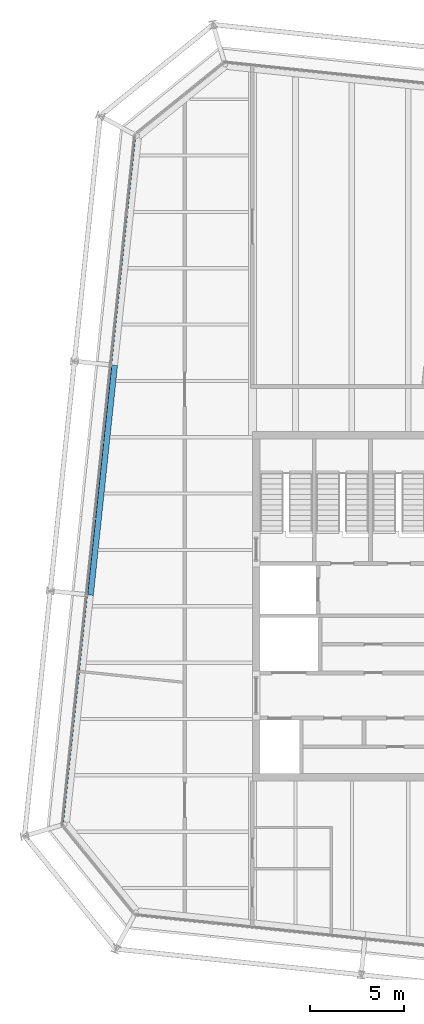
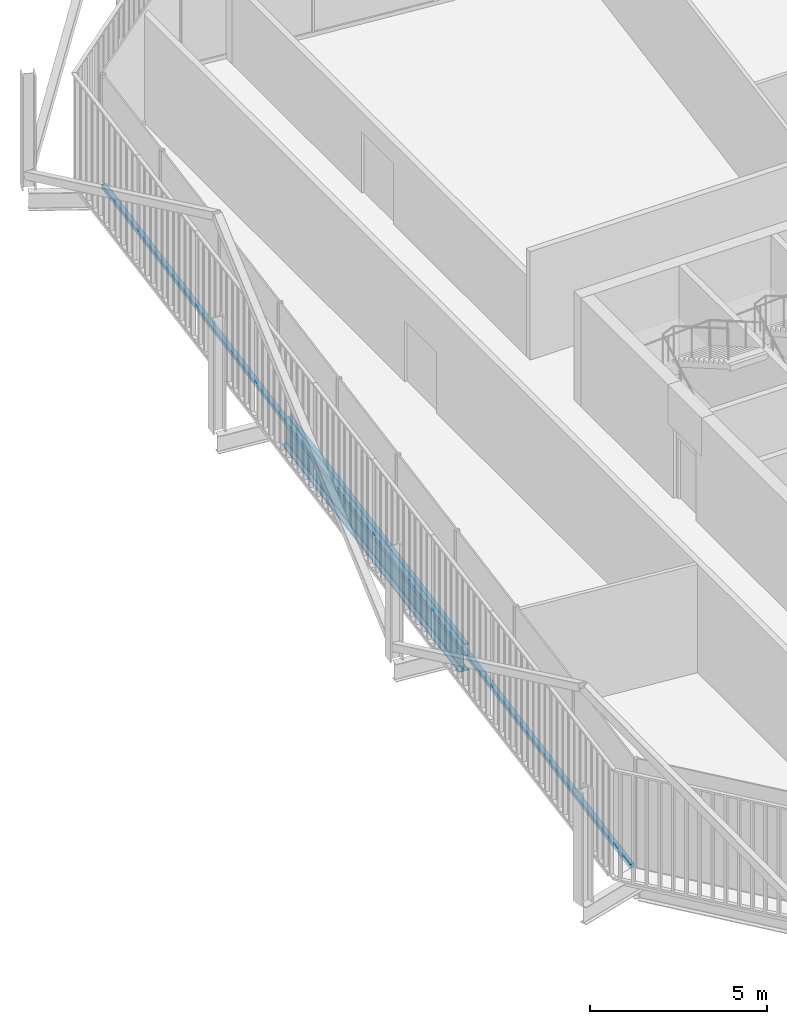
# One storey, part 7 of 21: 1 beam, 1 member, 1 element without a shape of its own.
"""IFC4 building model written with IfcOpenShell, lengths in metres."""

from ifc_helpers import new_model, si_unit, direction, frame, origin, origin_2d, place, context, subcontext, project, spatial, rectangle, i_section, extrude, material, layer, layer_set, material_profile, profile_set, type_object, element, aggregate, save


model = new_model("IFC4")

# Units and contexts
model_context = context("Model", 3, precision=1e-05, world=origin(), true_north=direction((0.0, 1.0)))
body_context = subcontext(model_context, "Body", "Model", "MODEL_VIEW")
ifc_project = project(units=[si_unit("LENGTHUNIT", "METRE"), si_unit("AREAUNIT", "SQUARE_METRE"), si_unit("VOLUMEUNIT", "CUBIC_METRE"), si_unit("PLANEANGLEUNIT", "RADIAN"), si_unit("MASSUNIT", "GRAM", prefix="KILO")], contexts=[model_context])

# Site, building, storey
site_placement = place(None, origin())
site = spatial("IfcSite", under=ifc_project, at=site_placement, CompositionType="ELEMENT")
building_placement = place(site_placement, origin())
building = spatial("IfcBuilding", under=site, at=building_placement, Name="Millrace Tower", CompositionType="ELEMENT")
storey_placement = place(building_placement, frame((0.0, 0.0, 318.699951171875)))
storey = spatial("IfcBuildingStorey", under=building, at=storey_placement, Name="L73", CompositionType="ELEMENT", Elevation=318.699951171875)

# Curtain wall, member
ifc_material_1 = material(Name="Aluminium and glass", Category="aluminium")
ifc_layer = layer(ifc_material_1, 0.14990234375)
ifc_layer_set = layer_set([ifc_layer], Name="Aluminium and glass")
curtain_wall_type = type_object("IfcCurtainWallType", Name="CW-1 office vision curtain wall", PredefinedType="NOTDEFINED", material=ifc_layer_set)
curtain_wall_placement = place(storey_placement, origin())
curtain_wall = element("IfcCurtainWall", 1, at=curtain_wall_placement, inside=storey, type_object=curtain_wall_type, Name="Curtain wall E-F08 L73", PredefinedType="NOTDEFINED")
ifc_material_2 = material(Name="Aluminium", Category="aluminium")
ifc_material_profile_1 = material_profile(ifc_material_2, rectangle(XDim=0.14990234375, YDim=0.139892578125, at=origin_2d()))
ifc_profile_set_1 = profile_set([ifc_material_profile_1], Name="Aluminium")
member_type = type_object("IfcMemberType", Name="CW-1 office vision curtain wall transom", PredefinedType="USERDEFINED", material=ifc_profile_set_1)
member_placement = place(storey_placement, frame((-20.581787109375, 24.9853515625, 0.070068359375), z_axis=(-0.104527916025, -0.994521952886, 0.0), x_axis=(0.994521952886, -0.104527916025, 0.0)))
member = element("IfcMember", 2, at=member_placement, type_object=member_type, Name="CW1 transom E-F08.1", ObjectType="TRANSOM", PredefinedType="USERDEFINED", context=body_context, shape_type="SweptSolid", body=[
    extrude(rectangle(XDim=0.14990234375, YDim=0.139892578125, at=origin_2d()), origin(), (0.0, 0.0, 1.0), 36.699951171875),
])
aggregate(curtain_wall, [member])

# Beam
ifc_material_3 = material(Name="Steel ASTM A992 Grade 50", Category="steel")
ifc_material_profile_2 = material_profile(ifc_material_3, i_section(OverallWidth=0.307373046875, OverallDepth=0.927001953125, WebThickness=0.01953125, FlangeThickness=0.031982421875, FilletRadius=0.01904296875, at=origin_2d()))
ifc_profile_set_2 = profile_set([ifc_material_profile_2], Name="Steel ASTM A992 Grade 50")
beam_type = type_object("IfcBeamType", Name="Ring beam medium span W36x194", PredefinedType="SPANDREL", material=ifc_profile_set_2)
beam_placement = place(storey_placement, frame((-22.915283203125, 0.595703125, -0.62353515625), z_axis=(0.104523600289, 0.994522406476, 0.0), x_axis=(-0.994522406476, 0.104523600289, 0.0)))
element("IfcBeam", 3, at=beam_placement, inside=storey, type_object=beam_type, Name="RNG-E-L73-S1-02", PredefinedType="SPANDREL", context=body_context, shape_type="SweptSolid", body=[
    extrude(i_section(OverallWidth=0.307373046875, OverallDepth=0.927001953125, WebThickness=0.01953125, FlangeThickness=0.031982421875, FilletRadius=0.01904296875, at=origin_2d()), origin(), (0.0, 0.0, 1.0), 12.300048828125),
])

save(model, "model.ifc")
